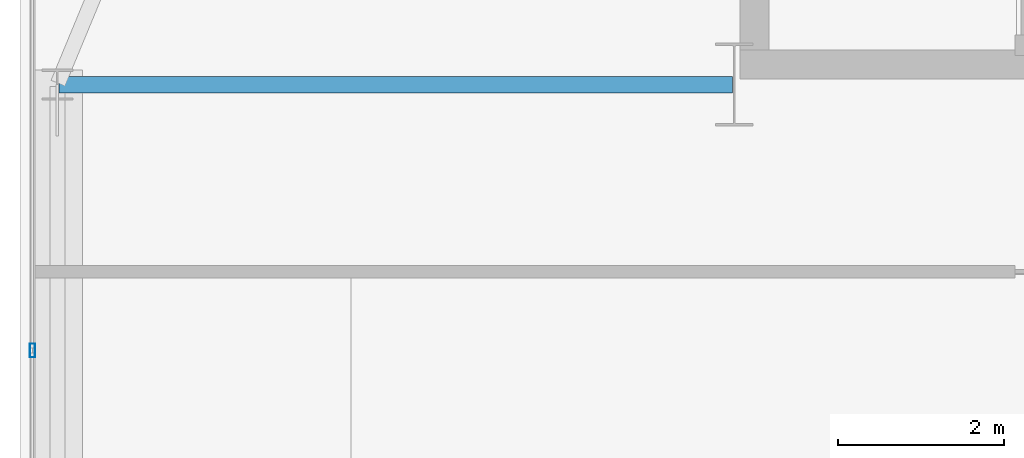
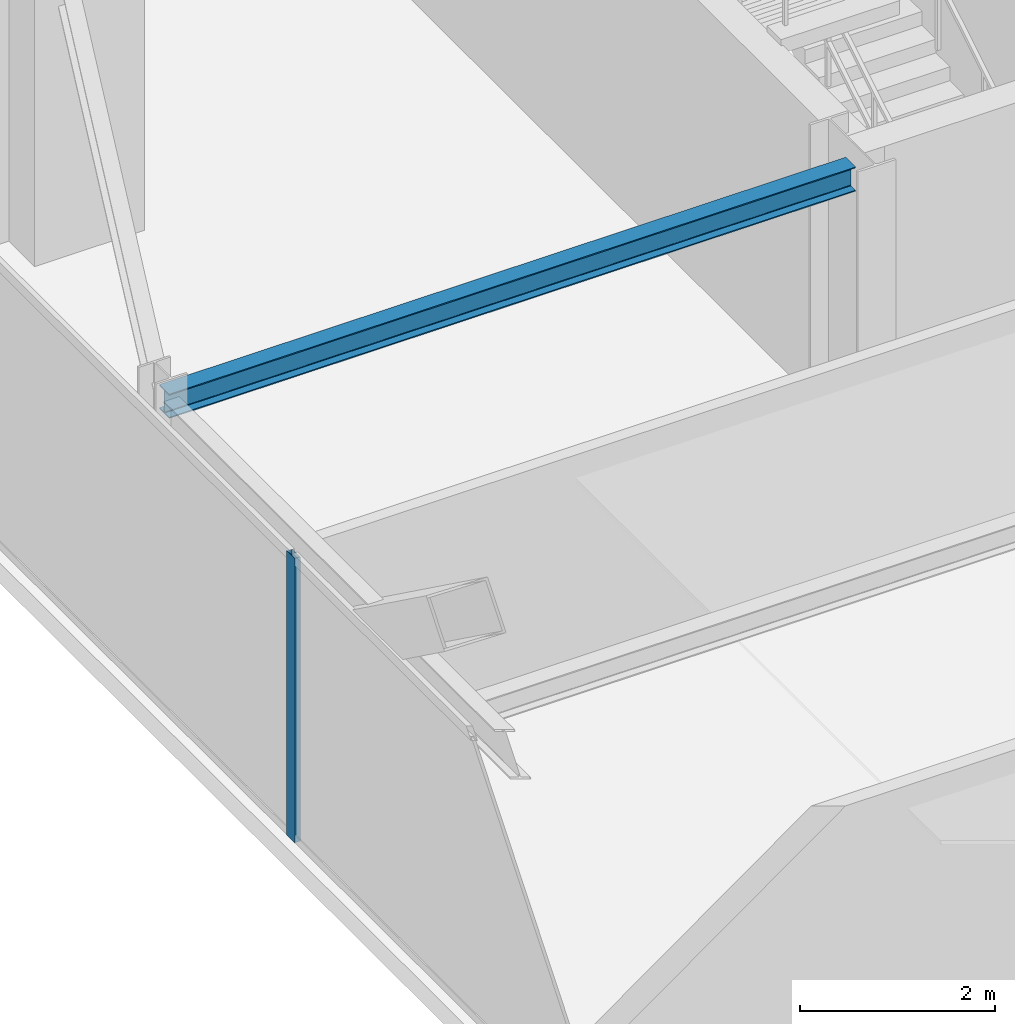
# One storey, part 12 of 34: 1 beam, 1 member, 1 element without a shape of its own.
"""IFC4 building model written with IfcOpenShell, lengths in metres."""

from ifc_helpers import new_model, si_unit, direction, frame, origin, origin_2d, place, context, subcontext, project, spatial, hollow_rectangle, i_section, extrude, source, transform, mapped, material, layer, layer_set, material_profile, profile_set, type_object, type_shapes, element, aggregate, save


model = new_model("IFC4")

# Units and contexts
model_context = context("Model", 3, precision=1e-05, world=origin(), true_north=direction((0.0, 1.0)))
body_context = subcontext(model_context, "Body", "Model", "MODEL_VIEW")
ifc_project = project(units=[si_unit("LENGTHUNIT", "METRE"), si_unit("AREAUNIT", "SQUARE_METRE"), si_unit("VOLUMEUNIT", "CUBIC_METRE"), si_unit("PLANEANGLEUNIT", "RADIAN"), si_unit("MASSUNIT", "GRAM", prefix="KILO")], contexts=[model_context])

# Site, building, storey
site_placement = place(None, origin())
site = spatial("IfcSite", under=ifc_project, at=site_placement, CompositionType="ELEMENT")
building_placement = place(site_placement, origin())
building = spatial("IfcBuilding", under=site, at=building_placement, Name="Varnel Quay Broadcast Tower", CompositionType="ELEMENT")
storey_placement = place(building_placement, frame((0.0, 0.0, 161.0)))
storey = spatial("IfcBuildingStorey", under=building, at=storey_placement, Name="L39", CompositionType="ELEMENT", Elevation=161.0)

# Beam
ifc_material_1 = material(Name="Structural Steel CSA G40.21 350W", Category="steel")
ifc_material_profile_1 = material_profile(ifc_material_1, i_section(OverallWidth=0.202880859375, OverallDepth=0.302978515625, WebThickness=0.007568359375, FlangeThickness=0.01318359375, FilletRadius=0.011962890625, at=origin_2d()), Name="W310X60")
ifc_profile_set_1 = profile_set([ifc_material_profile_1], Name="Structural Steel CSA G40.21 350W")
beam_type = type_object("IfcBeamType", Name="Beam_W310X60", PredefinedType="JOIST", material=ifc_profile_set_1)
shared_shape_1 = source(origin(), body_context, "Body", "SweptSolid", [
    extrude(i_section(OverallWidth=0.202880859375, OverallDepth=0.302978515625, WebThickness=0.007568359375, FlangeThickness=0.01318359375, FilletRadius=0.011962890625, at=origin_2d()), origin(), (0.0, 0.0, 1.0), 8.110107421875),
])
type_shapes(beam_type, [shared_shape_1])
beam_placement = place(storey_placement, frame((7.469970703125, 35.60009765625, 3.3984375), z_axis=(1.0, 0.0, 0.0), x_axis=(0.0, 1.0, 0.0)))
element("IfcBeam", 1, at=beam_placement, inside=storey, type_object=beam_type, Name="L39 West Core Tie Joist", PredefinedType="JOIST", context=body_context, shape_type="MappedRepresentation", body=[
    mapped(shared_shape_1, transform((0.0, 0.0, 0.0), x_axis=(1.0, 0.0, 0.0), y_axis=(0.0, 1.0, 0.0), z_axis=(0.0, 0.0, 1.0), scale=1.0)),
])

# Curtain wall, member
ifc_material_2 = material(Name="Anodised Bronze Aluminium 6063-T6", Category="aluminium")
ifc_layer = layer(ifc_material_2, 0.18994140625, Name="Anodised Bronze Aluminium 6063-T6")
ifc_layer_set = layer_set([ifc_layer], Name="Anodised Bronze Aluminium 6063-T6")
curtain_wall_type = type_object("IfcCurtainWallType", Name="CW_UpperTower", PredefinedType="NOTDEFINED", material=ifc_layer_set)
curtain_wall_placement = place(storey_placement, origin())
curtain_wall = element("IfcCurtainWall", 2, at=curtain_wall_placement, inside=storey, type_object=curtain_wall_type, Name="L39 West Unitised Curtain Wall", PredefinedType="NOTDEFINED")
ifc_material_profile_2 = material_profile(ifc_material_2, hollow_rectangle(XDim=0.06494140625, YDim=0.1650390625, WallThickness=0.00341796875, at=origin_2d()), Name="ALU65X165X3.5")
ifc_profile_set_2 = profile_set([ifc_material_profile_2], Name="Anodised Bronze Aluminium 6063-T6")
member_type = type_object("IfcMemberType", Name="Mull_CWS-03", PredefinedType="MULLION", material=ifc_profile_set_2)
shared_shape_2 = source(origin(), body_context, "Body", "SweptSolid", [
    extrude(hollow_rectangle(XDim=0.06494140625, YDim=0.1650390625, WallThickness=0.00341796875, at=origin_2d()), origin(), (0.0, 0.0, 1.0), 3.550048828125),
])
type_shapes(member_type, [shared_shape_2])
member_placement = place(storey_placement, frame((7.14990234375, 32.39990234375, 0.0), z_axis=(0.0, 0.0, 1.0), x_axis=(-1.0, 0.0, 0.0)))
member = element("IfcMember", 3, at=member_placement, type_object=member_type, Name="CWS-03 mullion 3", PredefinedType="MULLION", context=body_context, shape_type="MappedRepresentation", body=[
    mapped(shared_shape_2, transform((0.0, 0.0, 0.0), x_axis=(1.0, 0.0, 0.0), y_axis=(0.0, 1.0, 0.0), z_axis=(0.0, 0.0, 1.0), scale=1.0)),
])
aggregate(curtain_wall, [member])

save(model, "model.ifc")
